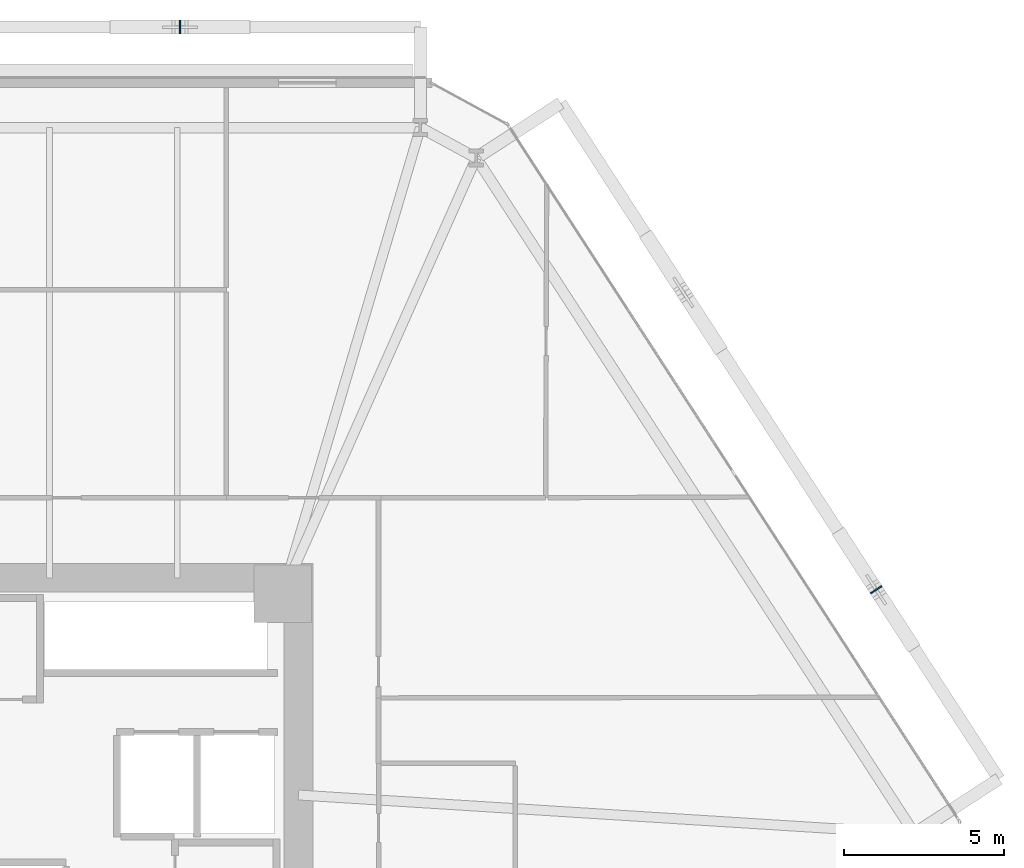
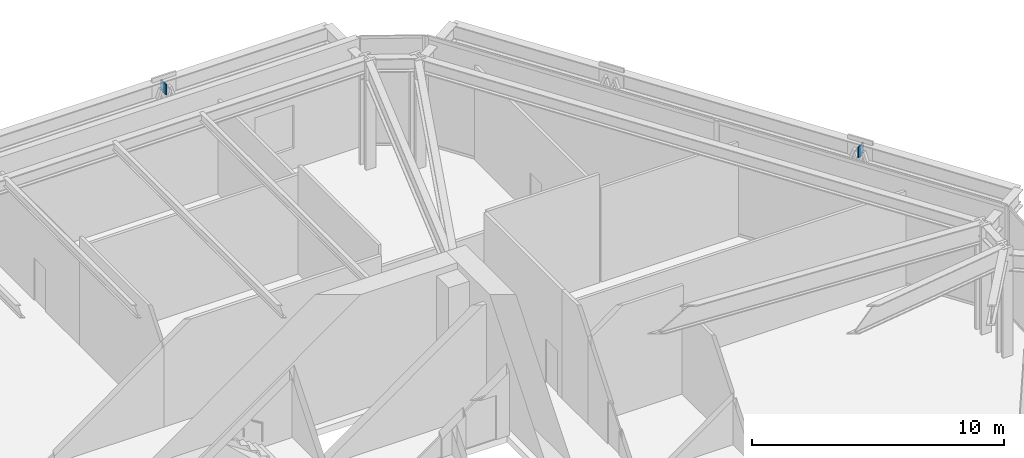
# One storey, part 16 of 23: 2 plates.
"""IFC4 building model written with IfcOpenShell, lengths in metres."""

from ifc_helpers import new_model, si_unit, direction, frame, origin, origin_2d, place, context, subcontext, project, spatial, rectangle, extrude, source, transform, mapped, material, layer, layer_set, type_object, type_shapes, element, save


model = new_model("IFC4")

# Units and contexts
model_context = context("Model", 3, precision=1e-05, world=origin(), true_north=direction((0.0, 1.0)))
body_context = subcontext(model_context, "Body", "Model", "MODEL_VIEW")
ifc_project = project(units=[si_unit("LENGTHUNIT", "METRE"), si_unit("AREAUNIT", "SQUARE_METRE"), si_unit("VOLUMEUNIT", "CUBIC_METRE"), si_unit("PLANEANGLEUNIT", "RADIAN"), si_unit("MASSUNIT", "GRAM", prefix="KILO")], contexts=[model_context])

# Site, building, storey
site_placement = place(None, origin())
site = spatial("IfcSite", under=ifc_project, at=site_placement, CompositionType="ELEMENT")
building_placement = place(site_placement, origin())
building = spatial("IfcBuilding", under=site, at=building_placement, Name="Durnholm Broadcast Tower", CompositionType="ELEMENT")
storey_placement = place(building_placement, frame((0.0, 0.0, 21.199951171875)))
storey = spatial("IfcBuildingStorey", under=building, at=storey_placement, Name="L04", CompositionType="ELEMENT", Elevation=21.199951171875)

# Plates
ifc_material = material(Name="Steel ASTM A572 Grade 50", Category="steel")
ifc_layer = layer(ifc_material, 0.044921875)
ifc_layer_set = layer_set([ifc_layer], Name="Steel ASTM A572 Grade 50")
plate_type = type_object("IfcPlateType", Name="PLT-KN-STIF", PredefinedType="SHEET", material=ifc_layer_set)
shared_shape = source(origin(), body_context, "Body", "SweptSolid", [
    extrude(rectangle(XDim=0.044921875, YDim=0.419921875, at=origin_2d()), origin(), (0.0, 0.0, 1.0), 0.52001953125),
])
type_shapes(plate_type, [shared_shape])
for number, where, z_axis, x_axis, name in (
    (1, (28.390625, 7.927978515625, 4.2685546875), (0.0, 0.0, 1.0), (-0.544053399827, 0.839050593311, 0.0), "L04 welded diagrid node stiffener plate F3"),
    (2, (6.58984375, 25.550048828125, 4.2685546875), (0.0, 0.0, 1.0), (-1.0, 0.0, 0.0), "L04 welded diagrid node stiffener plate F4"),
):
    element("IfcPlate", number, at=place(storey_placement, frame(where, z_axis=z_axis, x_axis=x_axis)), inside=storey, type_object=plate_type, Name=name, PredefinedType="SHEET", context=body_context, shape_type="MappedRepresentation", body=[
        mapped(shared_shape, transform((0.0, 0.0, 0.0), x_axis=(1.0, 0.0, 0.0), y_axis=(0.0, 1.0, 0.0), z_axis=(0.0, 0.0, 1.0), scale=1.0)),
    ])

save(model, "model.ifc")
